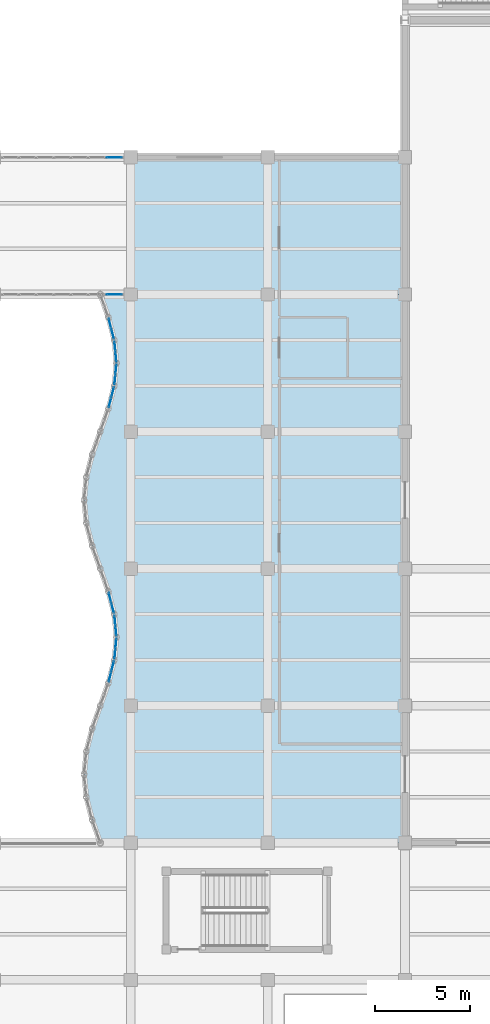
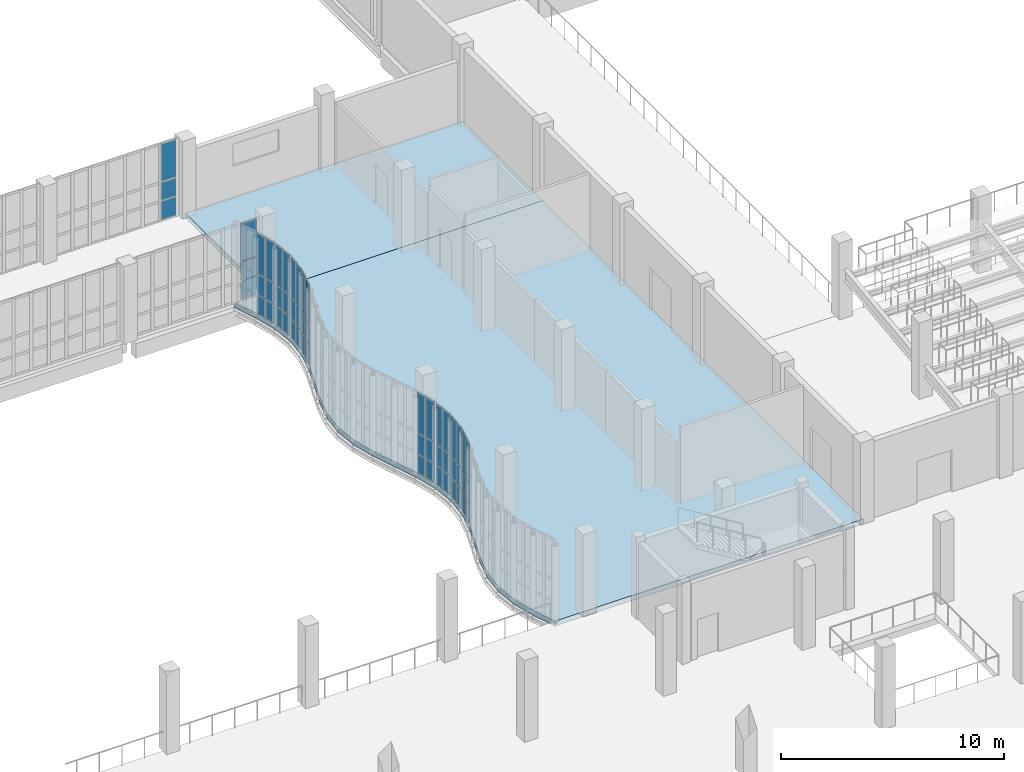
# One storey, part 84 of 108: 54 plates, 2 slabs, 10 elements without a shape of their own.
"""IFC4 building model written with IfcOpenShell, lengths in metres."""

from ifc_helpers import new_model, si_unit, direction, frame, origin, origin_2d, place, context, subcontext, project, spatial, polyline, rectangle, outline, extrude, material, layer, layer_set, type_object, element, aggregate, save


model = new_model("IFC4")

# Units and contexts
model_context = context("Model", 3, precision=1e-05, world=origin(), true_north=direction((0.0, 1.0)))
body_context = subcontext(model_context, "Body", "Model", "MODEL_VIEW")
ifc_project = project(units=[si_unit("LENGTHUNIT", "METRE"), si_unit("AREAUNIT", "SQUARE_METRE"), si_unit("VOLUMEUNIT", "CUBIC_METRE"), si_unit("PLANEANGLEUNIT", "RADIAN"), si_unit("MASSUNIT", "GRAM", prefix="KILO"), si_unit("THERMODYNAMICTEMPERATUREUNIT", "KELVIN"), si_unit("POWERUNIT", "WATT")], contexts=[model_context])

# Site, building, storey
site_placement = place(None, origin())
site = spatial("IfcSite", under=ifc_project, at=site_placement, CompositionType="ELEMENT")
building_placement = place(site_placement, origin())
building = spatial("IfcBuilding", under=site, at=building_placement, Name="Kaldorven Railside Theatre", CompositionType="ELEMENT")
storey_placement = place(building_placement, frame((0.0, 0.0, 5.39990234375)))
storey = spatial("IfcBuildingStorey", under=building, at=storey_placement, Name="L01", CompositionType="ELEMENT", Elevation=5.39990234375)

# Curtain wall, plates
ifc_material_1 = material(Name="Low-E laminated solar-control glass", Category="glass")
ifc_layer_1 = layer(ifc_material_1, 0.159912109375, Name="Low-E laminated solar-control glass")
ifc_layer_set_1 = layer_set([ifc_layer_1], Name="Low-E laminated solar-control glass")
curtain_wall_type_1 = type_object("IfcCurtainWallType", Name="CWT-02", PredefinedType="USERDEFINED", material=ifc_layer_set_1)
curtain_wall_1_placement = place(storey_placement, origin())
curtain_wall_1 = element("IfcCurtainWall", 1, at=curtain_wall_1_placement, inside=storey, type_object=curtain_wall_type_1, Name="Sinusoidal Fluted Curtain Wall CW-L01-W08", ObjectType="FLUTED GLAZING", PredefinedType="USERDEFINED")
ifc_layer_2 = layer(ifc_material_1, 0.028076171875, Name="Low-E laminated solar-control glass")
ifc_layer_set_2 = layer_set([ifc_layer_2], Name="Low-E laminated solar-control glass")
plate_type = type_object("IfcPlateType", Name="CWP-GLZ28", PredefinedType="CURTAIN_PANEL", material=ifc_layer_set_2)
plate_1_placement = place(storey_placement, frame((71.707763671875, 49.519287109375, 0.06005859375), z_axis=(0.0, 0.0, 1.0), x_axis=(0.250953760326, 0.967999075505, 0.0)))
plate_1 = element("IfcPlate", 2, at=plate_1_placement, type_object=plate_type, Name="CW-L01-W08 panel 1.1", PredefinedType="CURTAIN_PANEL", context=body_context, shape_type="SweptSolid", body=[
    extrude(rectangle(XDim=0.499755859375, YDim=0.028076171875, at=origin_2d()), origin(), (0.0, 0.0, 1.0), 1.010009765625),
])
plate_2_placement = place(storey_placement, frame((71.707763671875, 49.519287109375, 1.1298828125), z_axis=(0.0, 0.0, 1.0), x_axis=(0.250953760326, 0.967999075505, 0.0)))
plate_2 = element("IfcPlate", 3, at=plate_2_placement, type_object=plate_type, Name="CW-L01-W08 panel 1.2", PredefinedType="CURTAIN_PANEL", context=body_context, shape_type="SweptSolid", body=[
    extrude(rectangle(XDim=0.499755859375, YDim=0.028076171875, at=origin_2d()), origin(), (0.0, 0.0, 1.0), 1.090087890625),
])
plate_3_placement = place(storey_placement, frame((71.707763671875, 49.519287109375, 2.2802734375), z_axis=(0.0, 0.0, 1.0), x_axis=(0.250953760326, 0.967999075505, 0.0)))
plate_3 = element("IfcPlate", 4, at=plate_3_placement, type_object=plate_type, Name="CW-L01-W08 panel 1.3", PredefinedType="CURTAIN_PANEL", context=body_context, shape_type="SweptSolid", body=[
    extrude(rectangle(XDim=0.499755859375, YDim=0.028076171875, at=origin_2d()), origin(), (0.0, 0.0, 1.0), 2.159912109375),
])
plate_4_placement = place(storey_placement, frame((71.853271484375, 50.08056640625, 0.06005859375), z_axis=(0.0, 0.0, 1.0), x_axis=(0.250953760326, 0.967999075505, 0.0)))
plate_4 = element("IfcPlate", 5, at=plate_4_placement, type_object=plate_type, Name="CW-L01-W08 panel 2.1", PredefinedType="CURTAIN_PANEL", context=body_context, shape_type="SweptSolid", body=[
    extrude(rectangle(XDim=0.499755859375, YDim=0.028076171875, at=origin_2d()), origin(), (0.0, 0.0, 1.0), 1.010009765625),
])
plate_5_placement = place(storey_placement, frame((71.853271484375, 50.08056640625, 1.1298828125), z_axis=(0.0, 0.0, 1.0), x_axis=(0.250953760326, 0.967999075505, 0.0)))
plate_5 = element("IfcPlate", 6, at=plate_5_placement, type_object=plate_type, Name="CW-L01-W08 panel 2.2", PredefinedType="CURTAIN_PANEL", context=body_context, shape_type="SweptSolid", body=[
    extrude(rectangle(XDim=0.499755859375, YDim=0.028076171875, at=origin_2d()), origin(), (0.0, 0.0, 1.0), 1.090087890625),
])
plate_6_placement = place(storey_placement, frame((71.853271484375, 50.08056640625, 2.2802734375), z_axis=(0.0, 0.0, 1.0), x_axis=(0.250953760326, 0.967999075505, 0.0)))
plate_6 = element("IfcPlate", 7, at=plate_6_placement, type_object=plate_type, Name="CW-L01-W08 panel 2.3", PredefinedType="CURTAIN_PANEL", context=body_context, shape_type="SweptSolid", body=[
    extrude(rectangle(XDim=0.499755859375, YDim=0.028076171875, at=origin_2d()), origin(), (0.0, 0.0, 1.0), 2.159912109375),
])
aggregate(curtain_wall_1, [plate_1, plate_2, plate_3, plate_4, plate_5, plate_6])

ifc_layer_3 = layer(ifc_material_1, 0.159912109375, Name="Low-E laminated solar-control glass")
ifc_layer_set_3 = layer_set([ifc_layer_3], Name="Low-E laminated solar-control glass")
curtain_wall_type_2 = type_object("IfcCurtainWallType", Name="CWT-03", PredefinedType="USERDEFINED", material=ifc_layer_set_3)
curtain_wall_2_placement = place(storey_placement, origin())
curtain_wall_2 = element("IfcCurtainWall", 8, at=curtain_wall_2_placement, inside=storey, type_object=curtain_wall_type_2, Name="Sinusoidal Fluted Curtain Wall CW-L01-W09", ObjectType="FLUTED GLAZING", PredefinedType="USERDEFINED")
plate_7_placement = place(storey_placement, frame((71.966552734375, 50.719970703125, 0.06005859375), z_axis=(0.0, 0.0, 1.0), x_axis=(0.094491973758, 0.995525623425, 0.0)))
plate_7 = element("IfcPlate", 9, at=plate_7_placement, type_object=plate_type, Name="CW-L01-W09 panel 1.1", PredefinedType="CURTAIN_PANEL", context=body_context, shape_type="SweptSolid", body=[
    extrude(rectangle(XDim=0.482666015625, YDim=0.028076171875, at=origin_2d()), origin(), (0.0, 0.0, 1.0), 1.010009765625),
])
plate_8_placement = place(storey_placement, frame((71.966552734375, 50.719970703125, 1.1298828125), z_axis=(0.0, 0.0, 1.0), x_axis=(0.094491973758, 0.995525623425, 0.0)))
plate_8 = element("IfcPlate", 10, at=plate_8_placement, type_object=plate_type, Name="CW-L01-W09 panel 1.2", PredefinedType="CURTAIN_PANEL", context=body_context, shape_type="SweptSolid", body=[
    extrude(rectangle(XDim=0.482666015625, YDim=0.028076171875, at=origin_2d()), origin(), (0.0, 0.0, 1.0), 1.090087890625),
])
plate_9_placement = place(storey_placement, frame((71.966552734375, 50.719970703125, 2.2802734375), z_axis=(0.0, 0.0, 1.0), x_axis=(0.094491973758, 0.995525623425, 0.0)))
plate_9 = element("IfcPlate", 11, at=plate_9_placement, type_object=plate_type, Name="CW-L01-W09 panel 1.3", PredefinedType="CURTAIN_PANEL", context=body_context, shape_type="SweptSolid", body=[
    extrude(rectangle(XDim=0.482666015625, YDim=0.028076171875, at=origin_2d()), origin(), (0.0, 0.0, 1.0), 2.159912109375),
])
plate_10_placement = place(storey_placement, frame((72.01953125, 51.280029296875, 0.06005859375), z_axis=(0.0, 0.0, 1.0), x_axis=(0.094491973758, 0.995525623425, 0.0)))
plate_10 = element("IfcPlate", 12, at=plate_10_placement, type_object=plate_type, Name="CW-L01-W09 panel 2.1", PredefinedType="CURTAIN_PANEL", context=body_context, shape_type="SweptSolid", body=[
    extrude(rectangle(XDim=0.482666015625, YDim=0.028076171875, at=origin_2d()), origin(), (0.0, 0.0, 1.0), 1.010009765625),
])
plate_11_placement = place(storey_placement, frame((72.01953125, 51.280029296875, 1.1298828125), z_axis=(0.0, 0.0, 1.0), x_axis=(0.094491973758, 0.995525623425, 0.0)))
plate_11 = element("IfcPlate", 13, at=plate_11_placement, type_object=plate_type, Name="CW-L01-W09 panel 2.2", PredefinedType="CURTAIN_PANEL", context=body_context, shape_type="SweptSolid", body=[
    extrude(rectangle(XDim=0.482666015625, YDim=0.028076171875, at=origin_2d()), origin(), (0.0, 0.0, 1.0), 1.090087890625),
])
plate_12_placement = place(storey_placement, frame((72.01953125, 51.280029296875, 2.2802734375), z_axis=(0.0, 0.0, 1.0), x_axis=(0.094491973758, 0.995525623425, 0.0)))
plate_12 = element("IfcPlate", 14, at=plate_12_placement, type_object=plate_type, Name="CW-L01-W09 panel 2.3", PredefinedType="CURTAIN_PANEL", context=body_context, shape_type="SweptSolid", body=[
    extrude(rectangle(XDim=0.482666015625, YDim=0.028076171875, at=origin_2d()), origin(), (0.0, 0.0, 1.0), 2.159912109375),
])
aggregate(curtain_wall_2, [plate_7, plate_8, plate_9, plate_10, plate_11, plate_12])

curtain_wall_3_placement = place(storey_placement, origin())
curtain_wall_3 = element("IfcCurtainWall", 15, at=curtain_wall_3_placement, inside=storey, type_object=curtain_wall_type_2, Name="Sinusoidal Fluted Curtain Wall CW-L01-W10", ObjectType="FLUTED GLAZING", PredefinedType="USERDEFINED")
plate_13_placement = place(storey_placement, frame((72.01953125, 51.919921875, 0.06005859375), z_axis=(0.0, 0.0, 1.0), x_axis=(-0.094491973758, 0.995525623425, 0.0)))
plate_13 = element("IfcPlate", 16, at=plate_13_placement, type_object=plate_type, Name="CW-L01-W10 panel 1.1", PredefinedType="CURTAIN_PANEL", context=body_context, shape_type="SweptSolid", body=[
    extrude(rectangle(XDim=0.482666015625, YDim=0.028076171875, at=origin_2d()), origin(), (0.0, 0.0, 1.0), 1.010009765625),
])
plate_14_placement = place(storey_placement, frame((72.01953125, 51.919921875, 1.1298828125), z_axis=(0.0, 0.0, 1.0), x_axis=(-0.094491973758, 0.995525623425, 0.0)))
plate_14 = element("IfcPlate", 17, at=plate_14_placement, type_object=plate_type, Name="CW-L01-W10 panel 1.2", PredefinedType="CURTAIN_PANEL", context=body_context, shape_type="SweptSolid", body=[
    extrude(rectangle(XDim=0.482666015625, YDim=0.028076171875, at=origin_2d()), origin(), (0.0, 0.0, 1.0), 1.090087890625),
])
plate_15_placement = place(storey_placement, frame((72.01953125, 51.919921875, 2.2802734375), z_axis=(0.0, 0.0, 1.0), x_axis=(-0.094491973758, 0.995525623425, 0.0)))
plate_15 = element("IfcPlate", 18, at=plate_15_placement, type_object=plate_type, Name="CW-L01-W10 panel 1.3", PredefinedType="CURTAIN_PANEL", context=body_context, shape_type="SweptSolid", body=[
    extrude(rectangle(XDim=0.482666015625, YDim=0.028076171875, at=origin_2d()), origin(), (0.0, 0.0, 1.0), 2.159912109375),
])
plate_16_placement = place(storey_placement, frame((71.966552734375, 52.47998046875, 0.06005859375), z_axis=(0.0, 0.0, 1.0), x_axis=(-0.094491973758, 0.995525623425, 0.0)))
plate_16 = element("IfcPlate", 19, at=plate_16_placement, type_object=plate_type, Name="CW-L01-W10 panel 2.1", PredefinedType="CURTAIN_PANEL", context=body_context, shape_type="SweptSolid", body=[
    extrude(rectangle(XDim=0.482666015625, YDim=0.028076171875, at=origin_2d()), origin(), (0.0, 0.0, 1.0), 1.010009765625),
])
plate_17_placement = place(storey_placement, frame((71.966552734375, 52.47998046875, 1.1298828125), z_axis=(0.0, 0.0, 1.0), x_axis=(-0.094491973758, 0.995525623425, 0.0)))
plate_17 = element("IfcPlate", 20, at=plate_17_placement, type_object=plate_type, Name="CW-L01-W10 panel 2.2", PredefinedType="CURTAIN_PANEL", context=body_context, shape_type="SweptSolid", body=[
    extrude(rectangle(XDim=0.482666015625, YDim=0.028076171875, at=origin_2d()), origin(), (0.0, 0.0, 1.0), 1.090087890625),
])
plate_18_placement = place(storey_placement, frame((71.966552734375, 52.47998046875, 2.2802734375), z_axis=(0.0, 0.0, 1.0), x_axis=(-0.094491973758, 0.995525623425, 0.0)))
plate_18 = element("IfcPlate", 21, at=plate_18_placement, type_object=plate_type, Name="CW-L01-W10 panel 2.3", PredefinedType="CURTAIN_PANEL", context=body_context, shape_type="SweptSolid", body=[
    extrude(rectangle(XDim=0.482666015625, YDim=0.028076171875, at=origin_2d()), origin(), (0.0, 0.0, 1.0), 2.159912109375),
])
aggregate(curtain_wall_3, [plate_13, plate_14, plate_15, plate_16, plate_17, plate_18])

curtain_wall_4_placement = place(storey_placement, origin())
curtain_wall_4 = element("IfcCurtainWall", 22, at=curtain_wall_4_placement, inside=storey, type_object=curtain_wall_type_1, Name="Sinusoidal Fluted Curtain Wall CW-L01-W11", ObjectType="FLUTED GLAZING", PredefinedType="USERDEFINED")
plate_19_placement = place(storey_placement, frame((71.853271484375, 53.119384765625, 0.06005859375), z_axis=(0.0, 0.0, 1.0), x_axis=(-0.250953760326, 0.967999075505, 0.0)))
plate_19 = element("IfcPlate", 23, at=plate_19_placement, type_object=plate_type, Name="CW-L01-W11 panel 1.1", PredefinedType="CURTAIN_PANEL", context=body_context, shape_type="SweptSolid", body=[
    extrude(rectangle(XDim=0.499755859375, YDim=0.028076171875, at=origin_2d()), origin(), (0.0, 0.0, 1.0), 1.010009765625),
])
plate_20_placement = place(storey_placement, frame((71.853271484375, 53.119384765625, 1.1298828125), z_axis=(0.0, 0.0, 1.0), x_axis=(-0.250953760326, 0.967999075505, 0.0)))
plate_20 = element("IfcPlate", 24, at=plate_20_placement, type_object=plate_type, Name="CW-L01-W11 panel 1.2", PredefinedType="CURTAIN_PANEL", context=body_context, shape_type="SweptSolid", body=[
    extrude(rectangle(XDim=0.499755859375, YDim=0.028076171875, at=origin_2d()), origin(), (0.0, 0.0, 1.0), 1.090087890625),
])
plate_21_placement = place(storey_placement, frame((71.853271484375, 53.119384765625, 2.2802734375), z_axis=(0.0, 0.0, 1.0), x_axis=(-0.250953760326, 0.967999075505, 0.0)))
plate_21 = element("IfcPlate", 25, at=plate_21_placement, type_object=plate_type, Name="CW-L01-W11 panel 1.3", PredefinedType="CURTAIN_PANEL", context=body_context, shape_type="SweptSolid", body=[
    extrude(rectangle(XDim=0.499755859375, YDim=0.028076171875, at=origin_2d()), origin(), (0.0, 0.0, 1.0), 2.159912109375),
])
plate_22_placement = place(storey_placement, frame((71.707763671875, 53.6806640625, 0.06005859375), z_axis=(0.0, 0.0, 1.0), x_axis=(-0.250953760326, 0.967999075505, 0.0)))
plate_22 = element("IfcPlate", 26, at=plate_22_placement, type_object=plate_type, Name="CW-L01-W11 panel 2.1", PredefinedType="CURTAIN_PANEL", context=body_context, shape_type="SweptSolid", body=[
    extrude(rectangle(XDim=0.499755859375, YDim=0.028076171875, at=origin_2d()), origin(), (0.0, 0.0, 1.0), 1.010009765625),
])
plate_23_placement = place(storey_placement, frame((71.707763671875, 53.6806640625, 1.1298828125), z_axis=(0.0, 0.0, 1.0), x_axis=(-0.250953760326, 0.967999075505, 0.0)))
plate_23 = element("IfcPlate", 27, at=plate_23_placement, type_object=plate_type, Name="CW-L01-W11 panel 2.2", PredefinedType="CURTAIN_PANEL", context=body_context, shape_type="SweptSolid", body=[
    extrude(rectangle(XDim=0.499755859375, YDim=0.028076171875, at=origin_2d()), origin(), (0.0, 0.0, 1.0), 1.090087890625),
])
plate_24_placement = place(storey_placement, frame((71.707763671875, 53.6806640625, 2.2802734375), z_axis=(0.0, 0.0, 1.0), x_axis=(-0.250953760326, 0.967999075505, 0.0)))
plate_24 = element("IfcPlate", 28, at=plate_24_placement, type_object=plate_type, Name="CW-L01-W11 panel 2.3", PredefinedType="CURTAIN_PANEL", context=body_context, shape_type="SweptSolid", body=[
    extrude(rectangle(XDim=0.499755859375, YDim=0.028076171875, at=origin_2d()), origin(), (0.0, 0.0, 1.0), 2.159912109375),
])
aggregate(curtain_wall_4, [plate_19, plate_20, plate_21, plate_22, plate_23, plate_24])

curtain_wall_5_placement = place(storey_placement, origin())
curtain_wall_5 = element("IfcCurtainWall", 29, at=curtain_wall_5_placement, inside=storey, type_object=curtain_wall_type_1, Name="Sinusoidal Fluted Curtain Wall CW-L01-W20", ObjectType="FLUTED GLAZING", PredefinedType="USERDEFINED")
plate_25_placement = place(storey_placement, frame((71.707763671875, 63.91943359375, 0.06005859375), z_axis=(0.0, 0.0, 1.0), x_axis=(0.250953760326, 0.967999075505, 0.0)))
plate_25 = element("IfcPlate", 30, at=plate_25_placement, type_object=plate_type, Name="CW-L01-W20 panel 1.1", PredefinedType="CURTAIN_PANEL", context=body_context, shape_type="SweptSolid", body=[
    extrude(rectangle(XDim=0.499755859375, YDim=0.028076171875, at=origin_2d()), origin(), (0.0, 0.0, 1.0), 1.010009765625),
])
plate_26_placement = place(storey_placement, frame((71.707763671875, 63.91943359375, 1.1298828125), z_axis=(0.0, 0.0, 1.0), x_axis=(0.250953760326, 0.967999075505, 0.0)))
plate_26 = element("IfcPlate", 31, at=plate_26_placement, type_object=plate_type, Name="CW-L01-W20 panel 1.2", PredefinedType="CURTAIN_PANEL", context=body_context, shape_type="SweptSolid", body=[
    extrude(rectangle(XDim=0.499755859375, YDim=0.028076171875, at=origin_2d()), origin(), (0.0, 0.0, 1.0), 1.090087890625),
])
plate_27_placement = place(storey_placement, frame((71.707763671875, 63.91943359375, 2.2802734375), z_axis=(0.0, 0.0, 1.0), x_axis=(0.250953760326, 0.967999075505, 0.0)))
plate_27 = element("IfcPlate", 32, at=plate_27_placement, type_object=plate_type, Name="CW-L01-W20 panel 1.3", PredefinedType="CURTAIN_PANEL", context=body_context, shape_type="SweptSolid", body=[
    extrude(rectangle(XDim=0.499755859375, YDim=0.028076171875, at=origin_2d()), origin(), (0.0, 0.0, 1.0), 2.159912109375),
])
plate_28_placement = place(storey_placement, frame((71.853271484375, 64.480712890625, 0.06005859375), z_axis=(0.0, 0.0, 1.0), x_axis=(0.250953760326, 0.967999075505, 0.0)))
plate_28 = element("IfcPlate", 33, at=plate_28_placement, type_object=plate_type, Name="CW-L01-W20 panel 2.1", PredefinedType="CURTAIN_PANEL", context=body_context, shape_type="SweptSolid", body=[
    extrude(rectangle(XDim=0.499755859375, YDim=0.028076171875, at=origin_2d()), origin(), (0.0, 0.0, 1.0), 1.010009765625),
])
plate_29_placement = place(storey_placement, frame((71.853271484375, 64.480712890625, 1.1298828125), z_axis=(0.0, 0.0, 1.0), x_axis=(0.250953760326, 0.967999075505, 0.0)))
plate_29 = element("IfcPlate", 34, at=plate_29_placement, type_object=plate_type, Name="CW-L01-W20 panel 2.2", PredefinedType="CURTAIN_PANEL", context=body_context, shape_type="SweptSolid", body=[
    extrude(rectangle(XDim=0.499755859375, YDim=0.028076171875, at=origin_2d()), origin(), (0.0, 0.0, 1.0), 1.090087890625),
])
plate_30_placement = place(storey_placement, frame((71.853271484375, 64.480712890625, 2.2802734375), z_axis=(0.0, 0.0, 1.0), x_axis=(0.250953760326, 0.967999075505, 0.0)))
plate_30 = element("IfcPlate", 35, at=plate_30_placement, type_object=plate_type, Name="CW-L01-W20 panel 2.3", PredefinedType="CURTAIN_PANEL", context=body_context, shape_type="SweptSolid", body=[
    extrude(rectangle(XDim=0.499755859375, YDim=0.028076171875, at=origin_2d()), origin(), (0.0, 0.0, 1.0), 2.159912109375),
])
aggregate(curtain_wall_5, [plate_25, plate_26, plate_27, plate_28, plate_29, plate_30])

curtain_wall_6_placement = place(storey_placement, origin())
curtain_wall_6 = element("IfcCurtainWall", 36, at=curtain_wall_6_placement, inside=storey, type_object=curtain_wall_type_2, Name="Sinusoidal Fluted Curtain Wall CW-L01-W21", ObjectType="FLUTED GLAZING", PredefinedType="USERDEFINED")
plate_31_placement = place(storey_placement, frame((71.966552734375, 65.119873046875, 0.06005859375), z_axis=(0.0, 0.0, 1.0), x_axis=(0.094491973758, 0.995525623425, 0.0)))
plate_31 = element("IfcPlate", 37, at=plate_31_placement, type_object=plate_type, Name="CW-L01-W21 panel 1.1", PredefinedType="CURTAIN_PANEL", context=body_context, shape_type="SweptSolid", body=[
    extrude(rectangle(XDim=0.482666015625, YDim=0.028076171875, at=origin_2d()), origin(), (0.0, 0.0, 1.0), 1.010009765625),
])
plate_32_placement = place(storey_placement, frame((71.966552734375, 65.119873046875, 1.1298828125), z_axis=(0.0, 0.0, 1.0), x_axis=(0.094491973758, 0.995525623425, 0.0)))
plate_32 = element("IfcPlate", 38, at=plate_32_placement, type_object=plate_type, Name="CW-L01-W21 panel 1.2", PredefinedType="CURTAIN_PANEL", context=body_context, shape_type="SweptSolid", body=[
    extrude(rectangle(XDim=0.482666015625, YDim=0.028076171875, at=origin_2d()), origin(), (0.0, 0.0, 1.0), 1.090087890625),
])
plate_33_placement = place(storey_placement, frame((71.966552734375, 65.119873046875, 2.2802734375), z_axis=(0.0, 0.0, 1.0), x_axis=(0.094491973758, 0.995525623425, 0.0)))
plate_33 = element("IfcPlate", 39, at=plate_33_placement, type_object=plate_type, Name="CW-L01-W21 panel 1.3", PredefinedType="CURTAIN_PANEL", context=body_context, shape_type="SweptSolid", body=[
    extrude(rectangle(XDim=0.482666015625, YDim=0.028076171875, at=origin_2d()), origin(), (0.0, 0.0, 1.0), 2.159912109375),
])
plate_34_placement = place(storey_placement, frame((72.01953125, 65.68017578125, 0.06005859375), z_axis=(0.0, 0.0, 1.0), x_axis=(0.094491973758, 0.995525623425, 0.0)))
plate_34 = element("IfcPlate", 40, at=plate_34_placement, type_object=plate_type, Name="CW-L01-W21 panel 2.1", PredefinedType="CURTAIN_PANEL", context=body_context, shape_type="SweptSolid", body=[
    extrude(rectangle(XDim=0.482666015625, YDim=0.028076171875, at=origin_2d()), origin(), (0.0, 0.0, 1.0), 1.010009765625),
])
plate_35_placement = place(storey_placement, frame((72.01953125, 65.68017578125, 1.1298828125), z_axis=(0.0, 0.0, 1.0), x_axis=(0.094491973758, 0.995525623425, 0.0)))
plate_35 = element("IfcPlate", 41, at=plate_35_placement, type_object=plate_type, Name="CW-L01-W21 panel 2.2", PredefinedType="CURTAIN_PANEL", context=body_context, shape_type="SweptSolid", body=[
    extrude(rectangle(XDim=0.482666015625, YDim=0.028076171875, at=origin_2d()), origin(), (0.0, 0.0, 1.0), 1.090087890625),
])
plate_36_placement = place(storey_placement, frame((72.01953125, 65.68017578125, 2.2802734375), z_axis=(0.0, 0.0, 1.0), x_axis=(0.094491973758, 0.995525623425, 0.0)))
plate_36 = element("IfcPlate", 42, at=plate_36_placement, type_object=plate_type, Name="CW-L01-W21 panel 2.3", PredefinedType="CURTAIN_PANEL", context=body_context, shape_type="SweptSolid", body=[
    extrude(rectangle(XDim=0.482666015625, YDim=0.028076171875, at=origin_2d()), origin(), (0.0, 0.0, 1.0), 2.159912109375),
])
aggregate(curtain_wall_6, [plate_31, plate_32, plate_33, plate_34, plate_35, plate_36])

curtain_wall_7_placement = place(storey_placement, origin())
curtain_wall_7 = element("IfcCurtainWall", 43, at=curtain_wall_7_placement, inside=storey, type_object=curtain_wall_type_2, Name="Sinusoidal Fluted Curtain Wall CW-L01-W22", ObjectType="FLUTED GLAZING", PredefinedType="USERDEFINED")
plate_37_placement = place(storey_placement, frame((72.01953125, 66.31982421875, 0.06005859375), z_axis=(0.0, 0.0, 1.0), x_axis=(-0.094491973758, 0.995525623425, 0.0)))
plate_37 = element("IfcPlate", 44, at=plate_37_placement, type_object=plate_type, Name="CW-L01-W22 panel 1.1", PredefinedType="CURTAIN_PANEL", context=body_context, shape_type="SweptSolid", body=[
    extrude(rectangle(XDim=0.482666015625, YDim=0.028076171875, at=origin_2d()), origin(), (0.0, 0.0, 1.0), 1.010009765625),
])
plate_38_placement = place(storey_placement, frame((72.01953125, 66.31982421875, 1.1298828125), z_axis=(0.0, 0.0, 1.0), x_axis=(-0.094491973758, 0.995525623425, 0.0)))
plate_38 = element("IfcPlate", 45, at=plate_38_placement, type_object=plate_type, Name="CW-L01-W22 panel 1.2", PredefinedType="CURTAIN_PANEL", context=body_context, shape_type="SweptSolid", body=[
    extrude(rectangle(XDim=0.482666015625, YDim=0.028076171875, at=origin_2d()), origin(), (0.0, 0.0, 1.0), 1.090087890625),
])
plate_39_placement = place(storey_placement, frame((72.01953125, 66.31982421875, 2.2802734375), z_axis=(0.0, 0.0, 1.0), x_axis=(-0.094491973758, 0.995525623425, 0.0)))
plate_39 = element("IfcPlate", 46, at=plate_39_placement, type_object=plate_type, Name="CW-L01-W22 panel 1.3", PredefinedType="CURTAIN_PANEL", context=body_context, shape_type="SweptSolid", body=[
    extrude(rectangle(XDim=0.482666015625, YDim=0.028076171875, at=origin_2d()), origin(), (0.0, 0.0, 1.0), 2.159912109375),
])
plate_40_placement = place(storey_placement, frame((71.966552734375, 66.880126953125, 0.06005859375), z_axis=(0.0, 0.0, 1.0), x_axis=(-0.094491973758, 0.995525623425, 0.0)))
plate_40 = element("IfcPlate", 47, at=plate_40_placement, type_object=plate_type, Name="CW-L01-W22 panel 2.1", PredefinedType="CURTAIN_PANEL", context=body_context, shape_type="SweptSolid", body=[
    extrude(rectangle(XDim=0.482666015625, YDim=0.028076171875, at=origin_2d()), origin(), (0.0, 0.0, 1.0), 1.010009765625),
])
plate_41_placement = place(storey_placement, frame((71.966552734375, 66.880126953125, 1.1298828125), z_axis=(0.0, 0.0, 1.0), x_axis=(-0.094491973758, 0.995525623425, 0.0)))
plate_41 = element("IfcPlate", 48, at=plate_41_placement, type_object=plate_type, Name="CW-L01-W22 panel 2.2", PredefinedType="CURTAIN_PANEL", context=body_context, shape_type="SweptSolid", body=[
    extrude(rectangle(XDim=0.482666015625, YDim=0.028076171875, at=origin_2d()), origin(), (0.0, 0.0, 1.0), 1.090087890625),
])
plate_42_placement = place(storey_placement, frame((71.966552734375, 66.880126953125, 2.2802734375), z_axis=(0.0, 0.0, 1.0), x_axis=(-0.094491973758, 0.995525623425, 0.0)))
plate_42 = element("IfcPlate", 49, at=plate_42_placement, type_object=plate_type, Name="CW-L01-W22 panel 2.3", PredefinedType="CURTAIN_PANEL", context=body_context, shape_type="SweptSolid", body=[
    extrude(rectangle(XDim=0.482666015625, YDim=0.028076171875, at=origin_2d()), origin(), (0.0, 0.0, 1.0), 2.159912109375),
])
aggregate(curtain_wall_7, [plate_37, plate_38, plate_39, plate_40, plate_41, plate_42])

curtain_wall_8_placement = place(storey_placement, origin())
curtain_wall_8 = element("IfcCurtainWall", 50, at=curtain_wall_8_placement, inside=storey, type_object=curtain_wall_type_1, Name="Sinusoidal Fluted Curtain Wall CW-L01-W23", ObjectType="FLUTED GLAZING", PredefinedType="USERDEFINED")
plate_43_placement = place(storey_placement, frame((71.853271484375, 67.519287109375, 0.06005859375), z_axis=(0.0, 0.0, 1.0), x_axis=(-0.250953760326, 0.967999075505, 0.0)))
plate_43 = element("IfcPlate", 51, at=plate_43_placement, type_object=plate_type, Name="CW-L01-W23 panel 1.1", PredefinedType="CURTAIN_PANEL", context=body_context, shape_type="SweptSolid", body=[
    extrude(rectangle(XDim=0.499755859375, YDim=0.028076171875, at=origin_2d()), origin(), (0.0, 0.0, 1.0), 1.010009765625),
])
plate_44_placement = place(storey_placement, frame((71.853271484375, 67.519287109375, 1.1298828125), z_axis=(0.0, 0.0, 1.0), x_axis=(-0.250953760326, 0.967999075505, 0.0)))
plate_44 = element("IfcPlate", 52, at=plate_44_placement, type_object=plate_type, Name="CW-L01-W23 panel 1.2", PredefinedType="CURTAIN_PANEL", context=body_context, shape_type="SweptSolid", body=[
    extrude(rectangle(XDim=0.499755859375, YDim=0.028076171875, at=origin_2d()), origin(), (0.0, 0.0, 1.0), 1.090087890625),
])
plate_45_placement = place(storey_placement, frame((71.853271484375, 67.519287109375, 2.2802734375), z_axis=(0.0, 0.0, 1.0), x_axis=(-0.250953760326, 0.967999075505, 0.0)))
plate_45 = element("IfcPlate", 53, at=plate_45_placement, type_object=plate_type, Name="CW-L01-W23 panel 1.3", PredefinedType="CURTAIN_PANEL", context=body_context, shape_type="SweptSolid", body=[
    extrude(rectangle(XDim=0.499755859375, YDim=0.028076171875, at=origin_2d()), origin(), (0.0, 0.0, 1.0), 2.159912109375),
])
plate_46_placement = place(storey_placement, frame((71.707763671875, 68.08056640625, 0.06005859375), z_axis=(0.0, 0.0, 1.0), x_axis=(-0.250953760326, 0.967999075505, 0.0)))
plate_46 = element("IfcPlate", 54, at=plate_46_placement, type_object=plate_type, Name="CW-L01-W23 panel 2.1", PredefinedType="CURTAIN_PANEL", context=body_context, shape_type="SweptSolid", body=[
    extrude(rectangle(XDim=0.499755859375, YDim=0.028076171875, at=origin_2d()), origin(), (0.0, 0.0, 1.0), 1.010009765625),
])
plate_47_placement = place(storey_placement, frame((71.707763671875, 68.08056640625, 1.1298828125), z_axis=(0.0, 0.0, 1.0), x_axis=(-0.250953760326, 0.967999075505, 0.0)))
plate_47 = element("IfcPlate", 55, at=plate_47_placement, type_object=plate_type, Name="CW-L01-W23 panel 2.2", PredefinedType="CURTAIN_PANEL", context=body_context, shape_type="SweptSolid", body=[
    extrude(rectangle(XDim=0.499755859375, YDim=0.028076171875, at=origin_2d()), origin(), (0.0, 0.0, 1.0), 1.090087890625),
])
plate_48_placement = place(storey_placement, frame((71.707763671875, 68.08056640625, 2.2802734375), z_axis=(0.0, 0.0, 1.0), x_axis=(-0.250953760326, 0.967999075505, 0.0)))
plate_48 = element("IfcPlate", 56, at=plate_48_placement, type_object=plate_type, Name="CW-L01-W23 panel 2.3", PredefinedType="CURTAIN_PANEL", context=body_context, shape_type="SweptSolid", body=[
    extrude(rectangle(XDim=0.499755859375, YDim=0.028076171875, at=origin_2d()), origin(), (0.0, 0.0, 1.0), 2.159912109375),
])
aggregate(curtain_wall_8, [plate_43, plate_44, plate_45, plate_46, plate_47, plate_48])

ifc_layer_4 = layer(ifc_material_1, 0.159912109375, Name="Low-E laminated solar-control glass")
ifc_layer_set_4 = layer_set([ifc_layer_4], Name="Low-E laminated solar-control glass")
curtain_wall_type_3 = type_object("IfcCurtainWallType", Name="CWT-25", PredefinedType="USERDEFINED", material=ifc_layer_set_4)
curtain_wall_9_placement = place(storey_placement, origin())
curtain_wall_9 = element("IfcCurtainWall", 57, at=curtain_wall_9_placement, inside=storey, type_object=curtain_wall_type_3, Name="Sinusoidal Fluted Curtain Wall CW-L01-BS04", ObjectType="FLUTED GLAZING", PredefinedType="USERDEFINED")
plate_49_placement = place(storey_placement, frame((71.9228515625, 69.60009765625, 0.06005859375), z_axis=(0.0, 0.0, 1.0), x_axis=(1.0, 0.0, 0.0)))
plate_49 = element("IfcPlate", 58, at=plate_49_placement, type_object=plate_type, Name="CW-L01-BS04 panel 7.1", PredefinedType="CURTAIN_PANEL", context=body_context, shape_type="SweptSolid", body=[
    extrude(rectangle(XDim=0.794189453125, YDim=0.028076171875, at=origin_2d()), origin(), (0.0, 0.0, 1.0), 1.010009765625),
])
plate_50_placement = place(storey_placement, frame((71.9228515625, 69.60009765625, 1.130126953125), z_axis=(0.0, 0.0, 1.0), x_axis=(1.0, 0.0, 0.0)))
plate_50 = element("IfcPlate", 59, at=plate_50_placement, type_object=plate_type, Name="CW-L01-BS04 panel 7.2", PredefinedType="CURTAIN_PANEL", context=body_context, shape_type="SweptSolid", body=[
    extrude(rectangle(XDim=0.794189453125, YDim=0.028076171875, at=origin_2d()), origin(), (0.0, 0.0, 1.0), 0.97998046875),
])
plate_51_placement = place(storey_placement, frame((71.9228515625, 69.60009765625, 2.169921875), z_axis=(0.0, 0.0, 1.0), x_axis=(1.0, 0.0, 0.0)))
plate_51 = element("IfcPlate", 60, at=plate_51_placement, type_object=plate_type, Name="CW-L01-BS04 panel 7.3", PredefinedType="CURTAIN_PANEL", context=body_context, shape_type="SweptSolid", body=[
    extrude(rectangle(XDim=0.794189453125, YDim=0.028076171875, at=origin_2d()), origin(), (0.0, 0.0, 1.0), 2.050048828125),
])
aggregate(curtain_wall_9, [plate_49, plate_50, plate_51])

curtain_wall_10_placement = place(storey_placement, origin())
curtain_wall_10 = element("IfcCurtainWall", 61, at=curtain_wall_10_placement, inside=storey, type_object=curtain_wall_type_3, Name="Sinusoidal Fluted Curtain Wall CW-L01-BN04", ObjectType="FLUTED GLAZING", PredefinedType="USERDEFINED")
plate_52_placement = place(storey_placement, frame((71.9228515625, 76.800048828125, 0.06005859375), z_axis=(0.0, 0.0, 1.0), x_axis=(1.0, 0.0, 0.0)))
plate_52 = element("IfcPlate", 62, at=plate_52_placement, type_object=plate_type, Name="CW-L01-BN04 panel 7.1", PredefinedType="CURTAIN_PANEL", context=body_context, shape_type="SweptSolid", body=[
    extrude(rectangle(XDim=0.794189453125, YDim=0.028076171875, at=origin_2d()), origin(), (0.0, 0.0, 1.0), 1.010009765625),
])
plate_53_placement = place(storey_placement, frame((71.9228515625, 76.800048828125, 1.130126953125), z_axis=(0.0, 0.0, 1.0), x_axis=(1.0, 0.0, 0.0)))
plate_53 = element("IfcPlate", 63, at=plate_53_placement, type_object=plate_type, Name="CW-L01-BN04 panel 7.2", PredefinedType="CURTAIN_PANEL", context=body_context, shape_type="SweptSolid", body=[
    extrude(rectangle(XDim=0.794189453125, YDim=0.028076171875, at=origin_2d()), origin(), (0.0, 0.0, 1.0), 0.97998046875),
])
plate_54_placement = place(storey_placement, frame((71.9228515625, 76.800048828125, 2.169921875), z_axis=(0.0, 0.0, 1.0), x_axis=(1.0, 0.0, 0.0)))
plate_54 = element("IfcPlate", 64, at=plate_54_placement, type_object=plate_type, Name="CW-L01-BN04 panel 7.3", PredefinedType="CURTAIN_PANEL", context=body_context, shape_type="SweptSolid", body=[
    extrude(rectangle(XDim=0.794189453125, YDim=0.028076171875, at=origin_2d()), origin(), (0.0, 0.0, 1.0), 2.050048828125),
])
aggregate(curtain_wall_10, [plate_52, plate_53, plate_54])

# Slabs
ifc_material_2 = material(Name="Concrete C35/45", Category="concrete")
ifc_layer_5 = layer(ifc_material_2, 0.280029296875, Name="Concrete C35/45")
ifc_layer_set_5 = layer_set([ifc_layer_5], Name="Concrete C35/45")
slab_type = type_object("IfcSlabType", Name="SLB-FSL-280", PredefinedType="FLOOR", material=ifc_layer_set_5)
slab_1_placement = place(storey_placement, frame((0.0, 0.0, -0.27978515625)))
element("IfcSlab", 65, at=slab_1_placement, inside=storey, type_object=slab_type, Name="L01 Floor Slab SL-L01-V5W", PredefinedType="FLOOR", context=body_context, shape_type="SweptSolid", body=[
    extrude(outline(polyline([(71.199951171875, 40.800048828125), (87.199951171875, 40.800048828125), (87.199951171875, 69.60009765625), (71.199951171875, 69.60009765625), (71.625, 68.39990234375), (71.93603515625, 67.199951171875), (72.050048828125, 66.0), (71.93603515625, 64.800048828125), (71.625, 63.60009765625), (71.199951171875, 62.39990234375), (70.77490234375, 61.199951171875), (70.4638671875, 60.0), (70.35009765625, 58.800048828125), (70.4638671875, 57.60009765625), (70.77490234375, 56.39990234375), (71.199951171875, 55.199951171875), (71.625, 54.0), (71.93603515625, 52.800048828125), (72.050048828125, 51.60009765625), (71.93603515625, 50.39990234375), (71.625, 49.199951171875), (71.199951171875, 48.0), (70.77490234375, 46.800048828125), (70.4638671875, 45.60009765625), (70.35009765625, 44.39990234375), (70.4638671875, 43.199951171875), (70.77490234375, 42.0), (71.199951171875, 40.800048828125)])), origin(), (0.0, 0.0, 1.0), 0.27978515625),
])
slab_2_placement = place(storey_placement, frame((0.0, 0.0, -0.27978515625)))
element("IfcSlab", 66, at=slab_2_placement, inside=storey, type_object=slab_type, Name="L01 Floor Slab SL-L01-V5WN", PredefinedType="FLOOR", context=body_context, shape_type="SweptSolid", body=[
    extrude(outline(polyline([(72.800048828125, 69.60009765625), (87.199951171875, 69.60009765625), (87.199951171875, 76.800048828125), (72.800048828125, 76.800048828125), (72.800048828125, 69.60009765625)])), origin(), (0.0, 0.0, 1.0), 0.27978515625),
])

save(model, "model.ifc")
